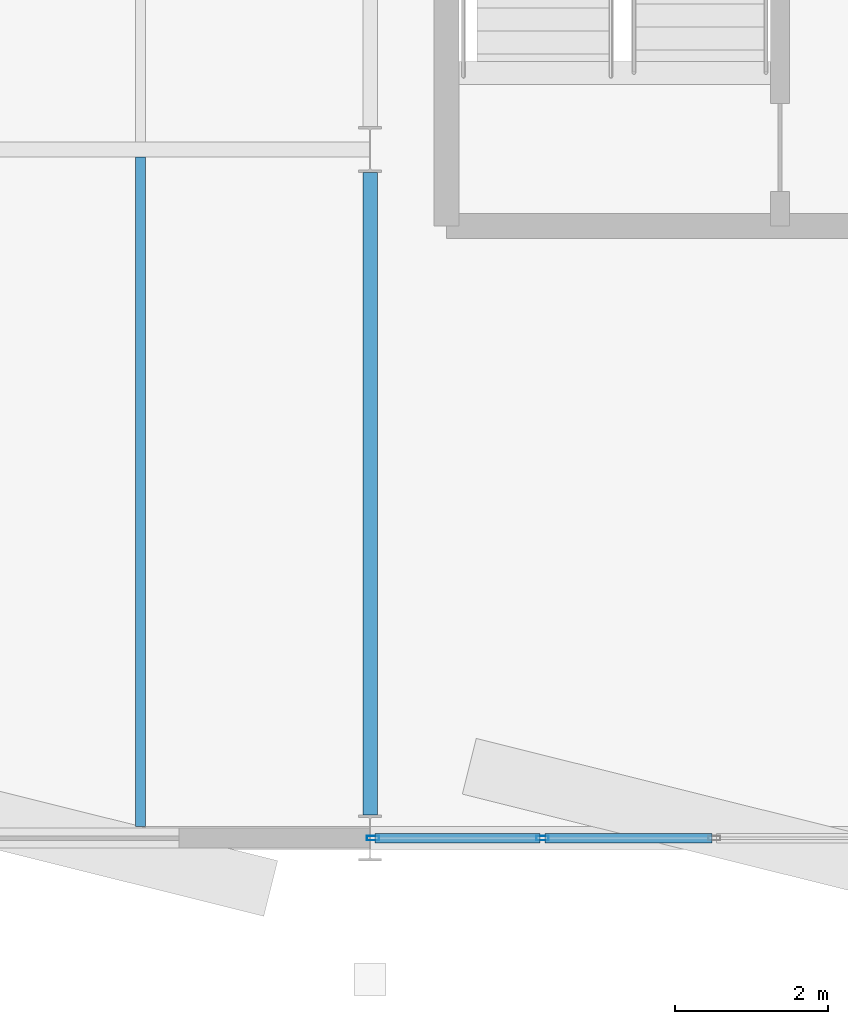
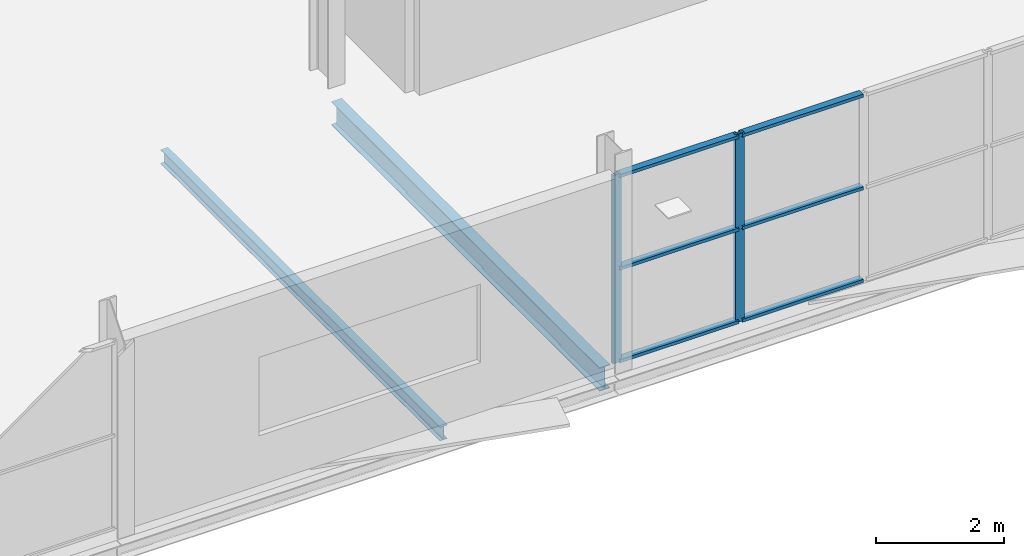
# One storey, part 81 of 132: 8 members, 2 beams, 1 element without a shape of its own.
"""IFC4 building model written with IfcOpenShell, lengths in metres."""

from ifc_helpers import new_model, si_unit, direction, frame, origin, origin_2d, place, context, subcontext, project, spatial, hollow_rectangle, i_section, extrude, material, layer, layer_set, material_profile, profile_set, type_object, element, aggregate, save


model = new_model("IFC4")

# Units and contexts
model_context = context("Model", 3, precision=1e-05, world=origin(), true_north=direction((0.0, 1.0)))
body_context = subcontext(model_context, "Body", "Model", "MODEL_VIEW")
ifc_project = project(units=[si_unit("LENGTHUNIT", "METRE"), si_unit("AREAUNIT", "SQUARE_METRE"), si_unit("VOLUMEUNIT", "CUBIC_METRE"), si_unit("PLANEANGLEUNIT", "RADIAN"), si_unit("MASSUNIT", "GRAM", prefix="KILO")], contexts=[model_context])

# Site, building, storey
site_placement = place(None, origin())
site = spatial("IfcSite", under=ifc_project, at=site_placement, CompositionType="ELEMENT")
building_placement = place(site_placement, origin())
building = spatial("IfcBuilding", under=site, at=building_placement, Name="Deido Ridge Mobility Hub", CompositionType="ELEMENT")
storey_placement = place(building_placement, frame((0.0, 0.0, 8.39990234375)))
storey = spatial("IfcBuildingStorey", under=building, at=storey_placement, Name="L02", CompositionType="ELEMENT", Elevation=8.39990234375)

# Beams
ifc_material_1 = material(Name="Steel S355J2 EN 10025-2", Category="steel")
ifc_material_profile_1 = material_profile(ifc_material_1, i_section(OverallWidth=0.18994140625, OverallDepth=0.449951171875, WebThickness=0.009521484375, FlangeThickness=0.0146484375, FilletRadius=0.02099609375, at=origin_2d()), Name="IPE 450")
ifc_profile_set_1 = profile_set([ifc_material_profile_1], Name="Steel S355J2 EN 10025-2")
beam_type_1 = type_object("IfcBeamType", Name="BM-IPE450", PredefinedType="BEAM", material=ifc_profile_set_1)
beam_1_placement = place(storey_placement, frame((162.0, 0.300048828125, -0.47998046875), z_axis=(0.0, 1.0, 0.0), x_axis=(-1.0, 0.0, 0.0)))
element("IfcBeam", 1, at=beam_1_placement, inside=storey, type_object=beam_type_1, Name="Floor beam B4", PredefinedType="BEAM", context=body_context, shape_type="SweptSolid", body=[
    extrude(i_section(OverallWidth=0.18994140625, OverallDepth=0.449951171875, WebThickness=0.009521484375, FlangeThickness=0.0146484375, FilletRadius=0.02099609375, at=origin_2d()), origin(), (0.0, 0.0, 1.0), 8.39990234375),
])
ifc_material_profile_2 = material_profile(ifc_material_1, i_section(OverallWidth=0.135009765625, OverallDepth=0.27001953125, WebThickness=0.006591796875, FlangeThickness=0.01025390625, FilletRadius=0.014892578125, at=origin_2d()), Name="IPE 270")
ifc_profile_set_2 = profile_set([ifc_material_profile_2], Name="Steel S355J2 EN 10025-2")
beam_type_2 = type_object("IfcBeamType", Name="JST-IPE270", PredefinedType="JOIST", material=ifc_profile_set_2)
beam_2_placement = place(storey_placement, frame((159.0, 0.14990234375, -0.389892578125), z_axis=(0.0, 1.0, 0.0), x_axis=(-1.0, 0.0, 0.0)))
element("IfcBeam", 2, at=beam_2_placement, inside=storey, type_object=beam_type_2, Name="Composite joist J4", PredefinedType="JOIST", context=body_context, shape_type="SweptSolid", body=[
    extrude(i_section(OverallWidth=0.135009765625, OverallDepth=0.27001953125, WebThickness=0.006591796875, FlangeThickness=0.01025390625, FilletRadius=0.014892578125, at=origin_2d()), origin(), (0.0, 0.0, 1.0), 8.75),
])

# Curtain wall, members
ifc_material_2 = material(Name="Anodised aluminium EN AW-6063 T6", Category="aluminium")
ifc_layer = layer(ifc_material_2, 0.195068359375, Name="Anodised aluminium EN AW-6063 T6")
ifc_layer_set = layer_set([ifc_layer], Name="Anodised aluminium EN AW-6063 T6")
curtain_wall_type = type_object("IfcCurtainWallType", Name="CW-UF-3", PredefinedType="USERDEFINED", material=ifc_layer_set)
curtain_wall_placement = place(storey_placement, origin())
curtain_wall = element("IfcCurtainWall", 3, at=curtain_wall_placement, inside=storey, type_object=curtain_wall_type, Name="Unitised curtain wall CW3", ObjectType="UNITISED FACADE", PredefinedType="USERDEFINED")
ifc_material_profile_3 = material_profile(ifc_material_2, hollow_rectangle(XDim=0.06005859375, YDim=0.159912109375, WallThickness=0.00390625, at=origin_2d()), Name="RHS 60x160x4")
ifc_profile_set_3 = profile_set([ifc_material_profile_3], Name="Anodised aluminium EN AW-6063 T6")
member_type_1 = type_object("IfcMemberType", Name="MEM-MUL-60X160", PredefinedType="MULLION", material=ifc_profile_set_3)
member_1_placement = place(storey_placement, frame((162.03759765625, 0.0, 0.0), z_axis=(0.0, 0.0, 1.0), x_axis=(0.0, 1.0, 0.0)))
member_1 = element("IfcMember", 4, at=member_1_placement, type_object=member_type_1, Name="CW3 mullion 1", PredefinedType="MULLION", context=body_context, shape_type="SweptSolid", body=[
    extrude(hollow_rectangle(XDim=0.06005859375, YDim=0.159912109375, WallThickness=0.00390625, at=origin_2d()), origin(), (0.0, 0.0, 1.0), 3.60009765625),
])
member_2_placement = place(storey_placement, frame((164.25390625, 0.0, 0.0), z_axis=(0.0, 0.0, 1.0), x_axis=(0.0, 1.0, 0.0)))
member_2 = element("IfcMember", 5, at=member_2_placement, type_object=member_type_1, Name="CW3 mullion 2", PredefinedType="MULLION", context=body_context, shape_type="SweptSolid", body=[
    extrude(hollow_rectangle(XDim=0.06005859375, YDim=0.159912109375, WallThickness=0.00390625, at=origin_2d()), origin(), (0.0, 0.0, 1.0), 3.60009765625),
])
ifc_material_profile_4 = material_profile(ifc_material_2, hollow_rectangle(XDim=0.125, YDim=0.06005859375, WallThickness=0.00390625, at=origin_2d()), Name="RHS 125x60x4")
ifc_profile_set_4 = profile_set([ifc_material_profile_4], Name="Anodised aluminium EN AW-6063 T6")
member_type_2 = type_object("IfcMemberType", Name="MEM-TRN-125X60", PredefinedType="USERDEFINED", material=ifc_profile_set_4)
member_3_placement = place(storey_placement, frame((162.067626953125, 0.0, 0.030029296875), z_axis=(1.0, 0.0, 0.0), x_axis=(0.0, 1.0, 0.0)))
member_3 = element("IfcMember", 6, at=member_3_placement, type_object=member_type_2, Name="CW3 transom 1.1", ObjectType="TRANSOM", PredefinedType="USERDEFINED", context=body_context, shape_type="SweptSolid", body=[
    extrude(hollow_rectangle(XDim=0.125, YDim=0.06005859375, WallThickness=0.00390625, at=origin_2d()), origin(), (0.0, 0.0, 1.0), 2.15625),
])
member_4_placement = place(storey_placement, frame((162.067626953125, 0.0, 1.800048828125), z_axis=(1.0, 0.0, 0.0), x_axis=(0.0, 1.0, 0.0)))
member_4 = element("IfcMember", 7, at=member_4_placement, type_object=member_type_2, Name="CW3 transom 1.2", ObjectType="TRANSOM", PredefinedType="USERDEFINED", context=body_context, shape_type="SweptSolid", body=[
    extrude(hollow_rectangle(XDim=0.125, YDim=0.06005859375, WallThickness=0.00390625, at=origin_2d()), origin(), (0.0, 0.0, 1.0), 2.15625),
])
member_5_placement = place(storey_placement, frame((162.067626953125, 0.0, 3.570068359375), z_axis=(1.0, 0.0, 0.0), x_axis=(0.0, 1.0, 0.0)))
member_5 = element("IfcMember", 8, at=member_5_placement, type_object=member_type_2, Name="CW3 transom 1.3", ObjectType="TRANSOM", PredefinedType="USERDEFINED", context=body_context, shape_type="SweptSolid", body=[
    extrude(hollow_rectangle(XDim=0.125, YDim=0.06005859375, WallThickness=0.00390625, at=origin_2d()), origin(), (0.0, 0.0, 1.0), 2.15625),
])
member_6_placement = place(storey_placement, frame((164.283935546875, 0.0, 0.030029296875), z_axis=(1.0, 0.0, 0.0), x_axis=(0.0, 1.0, 0.0)))
member_6 = element("IfcMember", 9, at=member_6_placement, type_object=member_type_2, Name="CW3 transom 2.1", ObjectType="TRANSOM", PredefinedType="USERDEFINED", context=body_context, shape_type="SweptSolid", body=[
    extrude(hollow_rectangle(XDim=0.125, YDim=0.06005859375, WallThickness=0.00390625, at=origin_2d()), origin(), (0.0, 0.0, 1.0), 2.18603515625),
])
member_7_placement = place(storey_placement, frame((164.283935546875, 0.0, 1.800048828125), z_axis=(1.0, 0.0, 0.0), x_axis=(0.0, 1.0, 0.0)))
member_7 = element("IfcMember", 10, at=member_7_placement, type_object=member_type_2, Name="CW3 transom 2.2", ObjectType="TRANSOM", PredefinedType="USERDEFINED", context=body_context, shape_type="SweptSolid", body=[
    extrude(hollow_rectangle(XDim=0.125, YDim=0.06005859375, WallThickness=0.00390625, at=origin_2d()), origin(), (0.0, 0.0, 1.0), 2.18603515625),
])
member_8_placement = place(storey_placement, frame((164.283935546875, 0.0, 3.570068359375), z_axis=(1.0, 0.0, 0.0), x_axis=(0.0, 1.0, 0.0)))
member_8 = element("IfcMember", 11, at=member_8_placement, type_object=member_type_2, Name="CW3 transom 2.3", ObjectType="TRANSOM", PredefinedType="USERDEFINED", context=body_context, shape_type="SweptSolid", body=[
    extrude(hollow_rectangle(XDim=0.125, YDim=0.06005859375, WallThickness=0.00390625, at=origin_2d()), origin(), (0.0, 0.0, 1.0), 2.18603515625),
])
aggregate(curtain_wall, [member_1, member_2, member_3, member_4, member_5, member_6, member_7, member_8])

save(model, "model.ifc")
